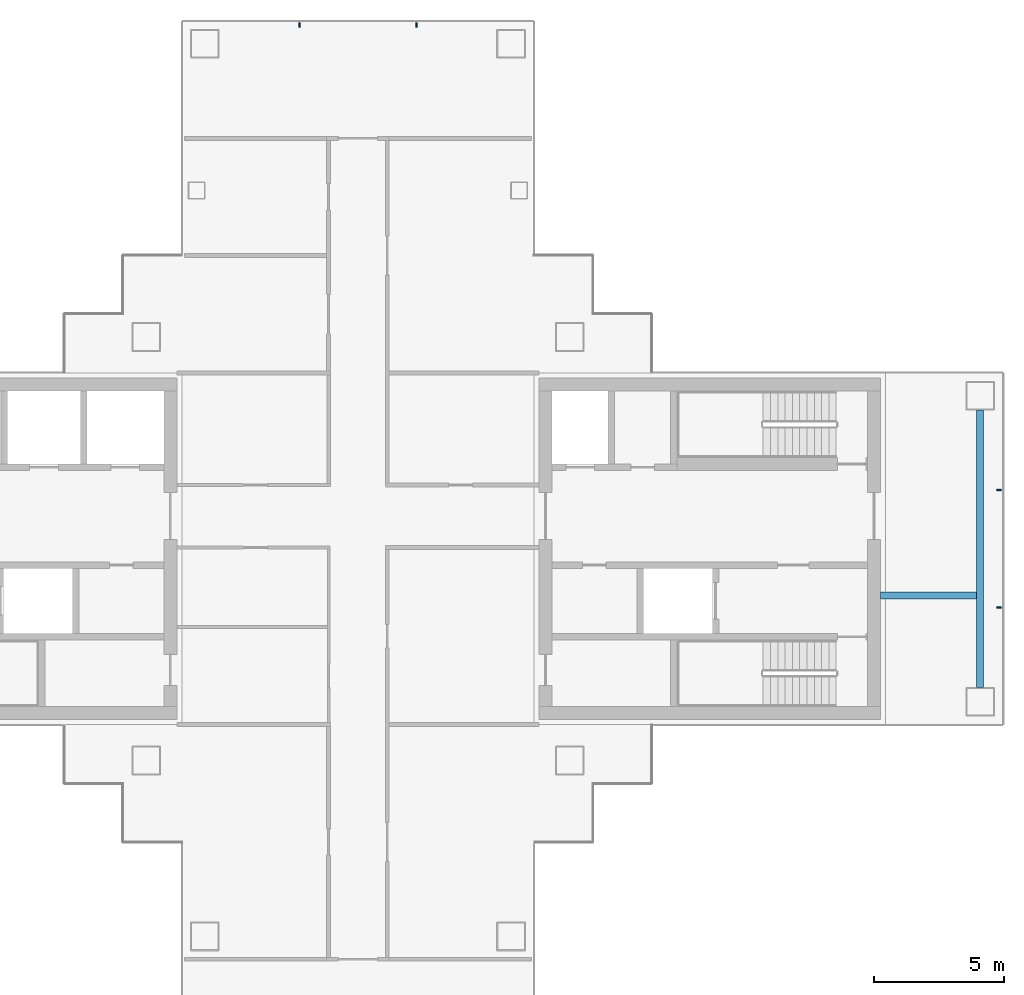
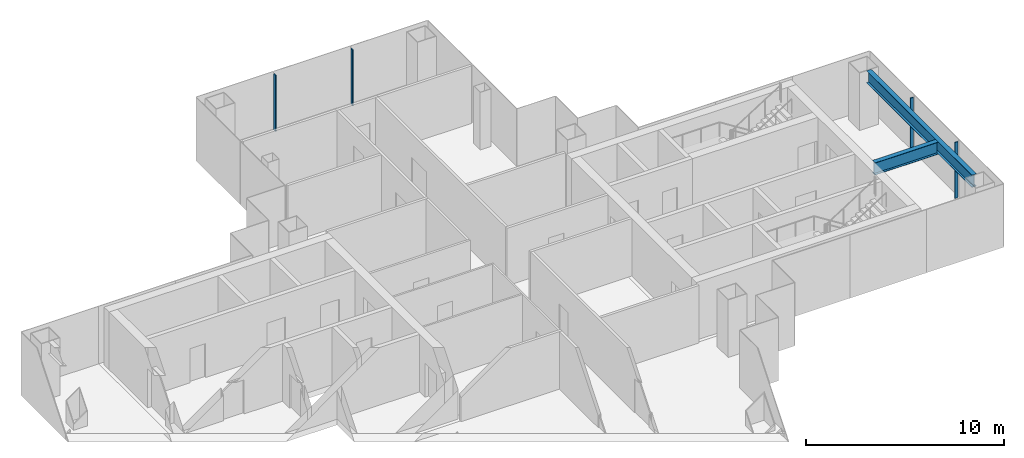
# One storey, part 6 of 16: 4 members, 2 beams, 2 elements without a shape of their own.
"""IFC4 building model written with IfcOpenShell, lengths in metres."""

from ifc_helpers import new_model, si_unit, direction, frame, origin, origin_2d, place, context, subcontext, project, spatial, rectangle, i_section, extrude, material, layer, layer_set, material_profile, profile_set, type_object, element, aggregate, save


model = new_model("IFC4")

# Units and contexts
model_context = context("Model", 3, precision=1e-05, world=origin(), true_north=direction((0.0, 1.0)))
body_context = subcontext(model_context, "Body", "Model", "MODEL_VIEW")
ifc_project = project(units=[si_unit("LENGTHUNIT", "METRE"), si_unit("AREAUNIT", "SQUARE_METRE"), si_unit("VOLUMEUNIT", "CUBIC_METRE"), si_unit("PLANEANGLEUNIT", "RADIAN"), si_unit("MASSUNIT", "GRAM", prefix="KILO")], contexts=[model_context])

# Site, building, storey
site_placement = place(None, origin())
site = spatial("IfcSite", under=ifc_project, at=site_placement, CompositionType="ELEMENT")
building_placement = place(site_placement, origin())
building = spatial("IfcBuilding", under=site, at=building_placement, Name="Shamsa Quay Exchange Towers", CompositionType="ELEMENT")
storey_placement = place(building_placement, frame((0.0, 0.0, 158.39990234375)))
storey = spatial("IfcBuildingStorey", under=building, at=storey_placement, Name="L37", CompositionType="ELEMENT", Elevation=158.39990234375)

# Curtain wall, members
ifc_material_1 = material(Name="Aluminium EN AW-6063 T6, black anodised", Category="aluminium")
ifc_layer = layer(ifc_material_1, 0.280029296875)
ifc_layer_set = layer_set([ifc_layer], Name="CW-1 UNITISED VISION GLASS")
curtain_wall_type = type_object("IfcCurtainWallType", Name="CW-1 UNITISED VISION GLASS", PredefinedType="NOTDEFINED", material=ifc_layer_set)
curtain_wall_1_placement = place(storey_placement, origin())
curtain_wall_1 = element("IfcCurtainWall", 1, at=curtain_wall_1_placement, inside=storey, type_object=curtain_wall_type, Name="CW1 T2-END-V- L37", PredefinedType="NOTDEFINED")
ifc_material_profile_1 = material_profile(ifc_material_1, rectangle(XDim=0.179931640625, YDim=0.06005859375, at=origin_2d()), Name="MU60x180")
ifc_profile_set_1 = profile_set([ifc_material_profile_1], Name="Aluminium EN AW-6063 T6, black anodised")
member_type = type_object("IfcMemberType", Name="CW1 MULLION 60x180", PredefinedType="MULLION", material=ifc_profile_set_1)
member_1_placement = place(storey_placement, frame((58.35009765625, -2.25, 0.0), z_axis=(0.0, 0.0, 1.0), x_axis=(-1.0, 0.0, 0.0)))
member_1 = element("IfcMember", 2, at=member_1_placement, type_object=member_type, Name="CW1 mullion", PredefinedType="MULLION", context=body_context, shape_type="SweptSolid", body=[
    extrude(rectangle(XDim=0.179931640625, YDim=0.06005859375, at=origin_2d()), origin(), (0.0, 0.0, 1.0), 3.4501953125),
])
member_2_placement = place(storey_placement, frame((58.35009765625, 2.25, 0.0), z_axis=(0.0, 0.0, 1.0), x_axis=(-1.0, 0.0, 0.0)))
member_2 = element("IfcMember", 3, at=member_2_placement, type_object=member_type, Name="CW1 mullion", PredefinedType="MULLION", context=body_context, shape_type="SweptSolid", body=[
    extrude(rectangle(XDim=0.179931640625, YDim=0.06005859375, at=origin_2d()), origin(), (0.0, 0.0, 1.0), 3.4501953125),
])
aggregate(curtain_wall_1, [member_1, member_2])

curtain_wall_2_placement = place(storey_placement, origin())
curtain_wall_2 = element("IfcCurtainWall", 4, at=curtain_wall_2_placement, inside=storey, type_object=curtain_wall_type, Name="CW1 T2-END-U+ L37", PredefinedType="NOTDEFINED")
member_3_placement = place(storey_placement, frame((36.0, 20.10009765625, 0.0), z_axis=(0.0, 0.0, 1.0), x_axis=(0.0, -1.0, 0.0)))
member_3 = element("IfcMember", 5, at=member_3_placement, type_object=member_type, Name="CW1 mullion", PredefinedType="MULLION", context=body_context, shape_type="SweptSolid", body=[
    extrude(rectangle(XDim=0.179931640625, YDim=0.06005859375, at=origin_2d()), origin(), (0.0, 0.0, 1.0), 3.4501953125),
])
member_4_placement = place(storey_placement, frame((31.5, 20.10009765625, 0.0), z_axis=(0.0, 0.0, 1.0), x_axis=(0.0, -1.0, 0.0)))
member_4 = element("IfcMember", 6, at=member_4_placement, type_object=member_type, Name="CW1 mullion", PredefinedType="MULLION", context=body_context, shape_type="SweptSolid", body=[
    extrude(rectangle(XDim=0.179931640625, YDim=0.06005859375, at=origin_2d()), origin(), (0.0, 0.0, 1.0), 3.4501953125),
])
aggregate(curtain_wall_2, [member_3, member_4])

# Beams
ifc_material_2 = material(Name="Steel S355", Category="steel")
ifc_material_profile_2 = material_profile(ifc_material_2, i_section(OverallWidth=0.26611328125, OverallDepth=0.7578125, WebThickness=0.013916015625, FlangeThickness=0.019287109375, at=origin_2d()), Name="W30x108")
ifc_profile_set_2 = profile_set([ifc_material_profile_2], Name="Steel S355")
beam_type = type_object("IfcBeamType", Name="End-zone beam W30x108", PredefinedType="BEAM", material=ifc_profile_set_2)
beam_1_placement = place(storey_placement, frame((57.625, -5.324951171875, 3.171142578125), z_axis=(0.0, 1.0, 0.0), x_axis=(-1.0, 0.0, 0.0)))
element("IfcBeam", 7, at=beam_1_placement, inside=storey, type_object=beam_type, Name="End beam T2 V- end zone L37", PredefinedType="BEAM", context=body_context, shape_type="SweptSolid", body=[
    extrude(i_section(OverallWidth=0.26611328125, OverallDepth=0.7578125, WebThickness=0.013916015625, FlangeThickness=0.019287109375, at=origin_2d()), origin(), (0.0, 0.0, 1.0), 10.64990234375),
])
beam_2_placement = place(storey_placement, frame((53.800048828125, -1.800048828125, 3.171142578125), z_axis=(1.0, 0.0, 0.0), x_axis=(0.0, 1.0, 0.0)))
element("IfcBeam", 8, at=beam_2_placement, inside=storey, type_object=beam_type, Name="Spine beam T2 V- end zone L37", PredefinedType="BEAM", context=body_context, shape_type="SweptSolid", body=[
    extrude(i_section(OverallWidth=0.26611328125, OverallDepth=0.7578125, WebThickness=0.013916015625, FlangeThickness=0.019287109375, at=origin_2d()), origin(), (0.0, 0.0, 1.0), 3.69189453125),
])

save(model, "model.ifc")
